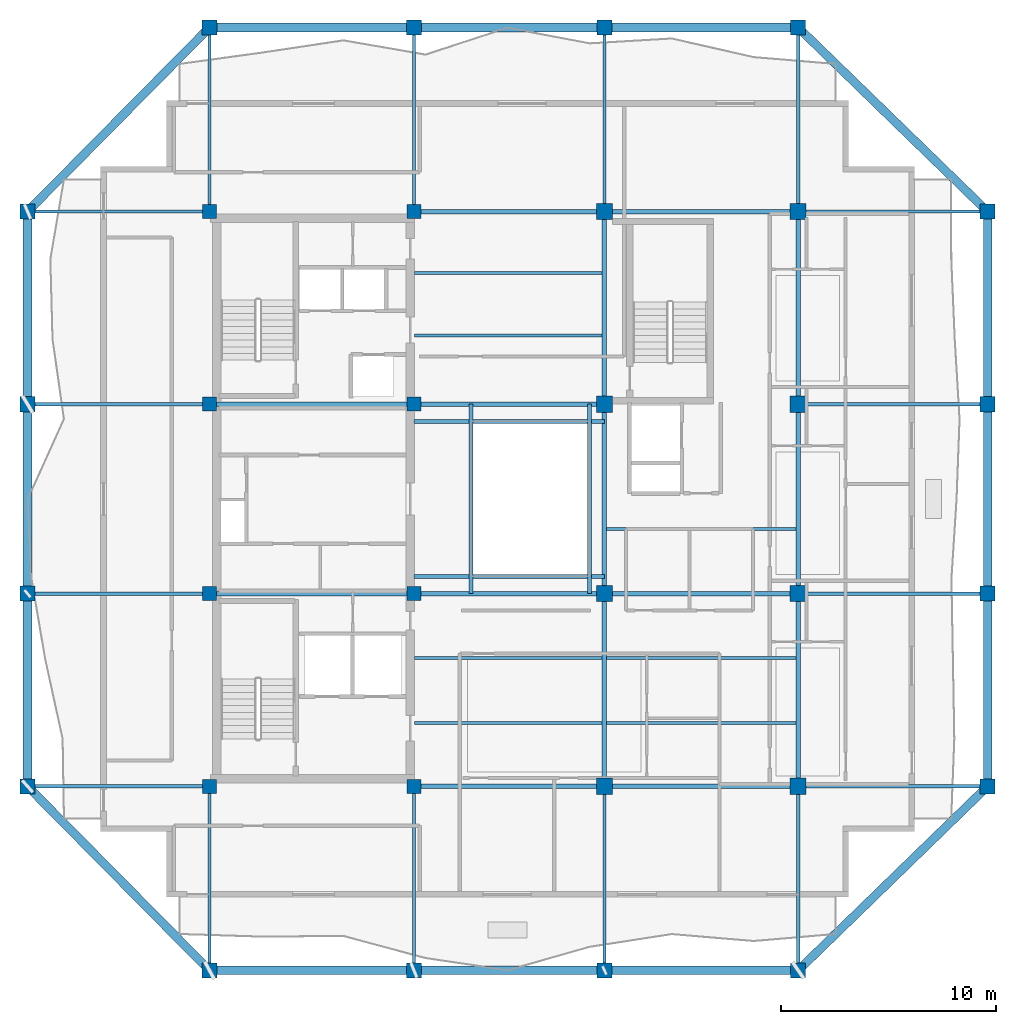
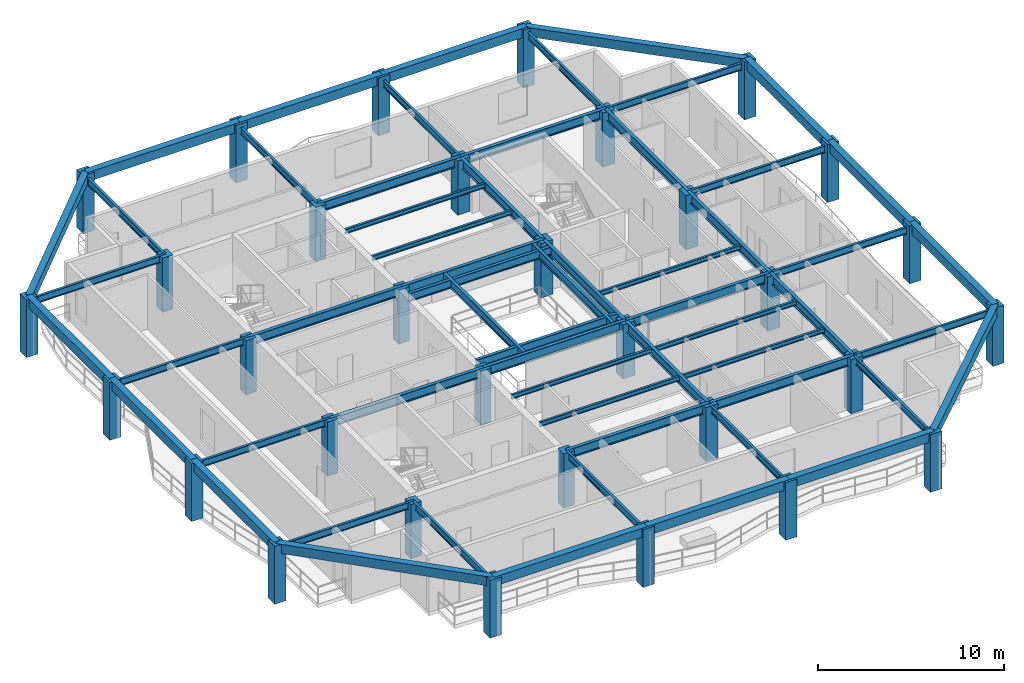
# One storey, part 1 of 10: 58 beams, 32 columns.
"""IFC4 building model written with IfcOpenShell, lengths in metres."""

from ifc_helpers import new_model, si_unit, direction, frame, origin, origin_2d, place, context, subcontext, project, spatial, rectangle, i_section, extrude, material, material_profile, profile_set, type_object, element, save


model = new_model("IFC4")

# Units and contexts
model_context = context("Model", 3, precision=1e-05, world=origin(), true_north=direction((0.0, 1.0)))
body_context = subcontext(model_context, "Body", "Model", "MODEL_VIEW")
ifc_project = project(units=[si_unit("LENGTHUNIT", "METRE"), si_unit("AREAUNIT", "SQUARE_METRE"), si_unit("VOLUMEUNIT", "CUBIC_METRE"), si_unit("PLANEANGLEUNIT", "RADIAN"), si_unit("MASSUNIT", "GRAM", prefix="KILO")], contexts=[model_context])

# Site, building, storey
site_placement = place(None, origin())
site = spatial("IfcSite", under=ifc_project, at=site_placement, CompositionType="ELEMENT")
building_placement = place(site_placement, origin())
building = spatial("IfcBuilding", under=site, at=building_placement, Name="Kundavana Baori Tower", CompositionType="ELEMENT")
storey_placement = place(building_placement, frame((0.0, 0.0, 320.10009765625)))
storey = spatial("IfcBuildingStorey", under=building, at=storey_placement, Name="L79", CompositionType="ELEMENT", Elevation=320.10009765625)

# Columns
ifc_material_1 = material(Name="Concrete C50/60", Category="concrete")
ifc_material_profile_1 = material_profile(ifc_material_1, rectangle(XDim=0.699951171875, YDim=0.699951171875, at=origin_2d()), Name="RC PF 700x700")
ifc_profile_set_1 = profile_set([ifc_material_profile_1], Name="Concrete C50/60")
column_type_1 = type_object("IfcColumnType", Name="COL-PF-700", PredefinedType="COLUMN", material=ifc_profile_set_1)
for number, where, z_axis, x_axis, name in (
    (1, (15.449951171875, 6.699951171875, 0.0), (0.0, 0.0, 1.0), (1.0, 0.0, 0.0), "L79 Stone-Clad Perimeter Frame Column PF-S1"),
    (2, (15.449951171875, 50.5, 0.0), (0.0, 0.0, 1.0), (1.0, 0.0, 0.0), "L79 Stone-Clad Perimeter Frame Column PF-N1"),
    (3, (24.949951171875, 6.699951171875, 0.0), (0.0, 0.0, 1.0), (1.0, 0.0, 0.0), "L79 Stone-Clad Perimeter Frame Column PF-S2"),
    (4, (24.949951171875, 50.5, 0.0), (0.0, 0.0, 1.0), (1.0, 0.0, 0.0), "L79 Stone-Clad Perimeter Frame Column PF-N2"),
    (5, (33.800048828125, 6.699951171875, 0.0), (0.0, 0.0, 1.0), (1.0, 0.0, 0.0), "L79 Stone-Clad Perimeter Frame Column PF-S3"),
    (6, (33.800048828125, 50.5, 0.0), (0.0, 0.0, 1.0), (1.0, 0.0, 0.0), "L79 Stone-Clad Perimeter Frame Column PF-N3"),
    (7, (42.800048828125, 6.699951171875, 0.0), (0.0, 0.0, 1.0), (1.0, 0.0, 0.0), "L79 Stone-Clad Perimeter Frame Column PF-S4"),
    (8, (42.800048828125, 50.5, 0.0), (0.0, 0.0, 1.0), (1.0, 0.0, 0.0), "L79 Stone-Clad Perimeter Frame Column PF-N4"),
    (9, (7.0, 15.25, 0.0), (0.0, 0.0, 1.0), (1.0, 0.0, 0.0), "L79 Stone-Clad Perimeter Frame Column PF-W1"),
    (10, (51.60009765625, 15.25, 0.0), (0.0, 0.0, 1.0), (1.0, 0.0, 0.0), "L79 Stone-Clad Perimeter Frame Column PF-E1"),
    (11, (7.0, 24.199951171875, 0.0), (0.0, 0.0, 1.0), (1.0, 0.0, 0.0), "L79 Stone-Clad Perimeter Frame Column PF-W2"),
    (12, (51.60009765625, 24.199951171875, 0.0), (0.0, 0.0, 1.0), (1.0, 0.0, 0.0), "L79 Stone-Clad Perimeter Frame Column PF-E2"),
    (13, (7.0, 33.0, 0.0), (0.0, 0.0, 1.0), (1.0, 0.0, 0.0), "L79 Stone-Clad Perimeter Frame Column PF-W3"),
    (14, (51.60009765625, 33.0, 0.0), (0.0, 0.0, 1.0), (1.0, 0.0, 0.0), "L79 Stone-Clad Perimeter Frame Column PF-E3"),
    (15, (7.0, 41.949951171875, 0.0), (0.0, 0.0, 1.0), (1.0, 0.0, 0.0), "L79 Stone-Clad Perimeter Frame Column PF-W4"),
    (16, (51.60009765625, 41.949951171875, 0.0), (0.0, 0.0, 1.0), (1.0, 0.0, 0.0), "L79 Stone-Clad Perimeter Frame Column PF-E4"),
):
    element("IfcColumn", number, at=place(storey_placement, frame(where, z_axis=z_axis, x_axis=x_axis)), inside=storey, type_object=column_type_1, Name=name, PredefinedType="COLUMN", context=body_context, shape_type="SweptSolid", body=[
        extrude(rectangle(XDim=0.699951171875, YDim=0.699951171875, at=origin_2d()), origin(), (0.0, 0.0, 1.0), 3.7998046875),
    ])
ifc_material_2 = material(Name="Concrete C50/60", Category="concrete")
ifc_material_profile_2 = material_profile(ifc_material_2, rectangle(XDim=0.64990234375, YDim=0.64990234375, at=origin_2d()), Name="RC 650x650")
ifc_profile_set_2 = profile_set([ifc_material_profile_2], Name="Concrete C50/60")
column_type_2 = type_object("IfcColumnType", Name="COL-RC-650", PredefinedType="COLUMN", material=ifc_profile_set_2)
for number, where, z_axis, x_axis, name in (
    (17, (15.449951171875, 15.25, 0.0), (0.0, 0.0, 1.0), (1.0, 0.0, 0.0), "L79 Interior Column IC-3C"),
    (18, (15.449951171875, 24.199951171875, 0.0), (0.0, 0.0, 1.0), (1.0, 0.0, 0.0), "L79 Interior Column IC-3D"),
    (19, (15.449951171875, 33.0, 0.0), (0.0, 0.0, 1.0), (1.0, 0.0, 0.0), "L79 Interior Column IC-3E"),
    (20, (15.449951171875, 41.949951171875, 0.0), (0.0, 0.0, 1.0), (1.0, 0.0, 0.0), "L79 Interior Column IC-3F"),
    (21, (24.949951171875, 15.25, 0.0), (0.0, 0.0, 1.0), (1.0, 0.0, 0.0), "L79 Interior Column IC-4C"),
    (22, (24.949951171875, 24.199951171875, 0.0), (0.0, 0.0, 1.0), (1.0, 0.0, 0.0), "L79 Interior Column IC-4D"),
    (23, (24.949951171875, 33.0, 0.0), (0.0, 0.0, 1.0), (1.0, 0.0, 0.0), "L79 Interior Column IC-4E"),
    (24, (24.949951171875, 41.949951171875, 0.0), (0.0, 0.0, 1.0), (1.0, 0.0, 0.0), "L79 Interior Column IC-4F"),
):
    element("IfcColumn", number, at=place(storey_placement, frame(where, z_axis=z_axis, x_axis=x_axis)), inside=storey, type_object=column_type_2, Name=name, PredefinedType="COLUMN", context=body_context, shape_type="SweptSolid", body=[
        extrude(rectangle(XDim=0.64990234375, YDim=0.64990234375, at=origin_2d()), origin(), (0.0, 0.0, 1.0), 3.559814453125),
    ])
ifc_material_3 = material(Name="Concrete C50/60", Category="concrete")
ifc_material_profile_3 = material_profile(ifc_material_3, rectangle(XDim=0.75, YDim=0.75, at=origin_2d()), Name="RC 750x750")
ifc_profile_set_3 = profile_set([ifc_material_profile_3], Name="Concrete C50/60")
column_type_3 = type_object("IfcColumnType", Name="COL-RC-750", PredefinedType="COLUMN", material=ifc_profile_set_3)
for number, where, z_axis, x_axis, name in (
    (25, (33.800048828125, 15.25, 0.0), (0.0, 0.0, 1.0), (1.0, 0.0, 0.0), "L79 Interior Column IC-5C"),
    (26, (33.800048828125, 24.199951171875, 0.0), (0.0, 0.0, 1.0), (1.0, 0.0, 0.0), "L79 Interior Column IC-5D"),
    (27, (33.800048828125, 33.0, 0.0), (0.0, 0.0, 1.0), (1.0, 0.0, 0.0), "L79 Interior Column IC-5E"),
    (28, (33.800048828125, 41.949951171875, 0.0), (0.0, 0.0, 1.0), (1.0, 0.0, 0.0), "L79 Interior Column IC-5F"),
    (29, (42.800048828125, 15.25, 0.0), (0.0, 0.0, 1.0), (1.0, 0.0, 0.0), "L79 Interior Column IC-6C"),
    (30, (42.800048828125, 24.199951171875, 0.0), (0.0, 0.0, 1.0), (1.0, 0.0, 0.0), "L79 Interior Column IC-6D"),
    (31, (42.800048828125, 33.0, 0.0), (0.0, 0.0, 1.0), (1.0, 0.0, 0.0), "L79 Interior Column IC-6E"),
    (32, (42.800048828125, 41.949951171875, 0.0), (0.0, 0.0, 1.0), (1.0, 0.0, 0.0), "L79 Interior Column IC-6F"),
):
    element("IfcColumn", number, at=place(storey_placement, frame(where, z_axis=z_axis, x_axis=x_axis)), inside=storey, type_object=column_type_3, Name=name, PredefinedType="COLUMN", context=body_context, shape_type="SweptSolid", body=[
        extrude(rectangle(XDim=0.75, YDim=0.75, at=origin_2d()), origin(), (0.0, 0.0, 1.0), 3.559814453125),
    ])

# Beams
ifc_material_4 = material(Name="Concrete C50/60", Category="concrete")
ifc_material_profile_4 = material_profile(ifc_material_4, rectangle(XDim=0.39990234375, YDim=0.60009765625, at=origin_2d()), Name="RC BM 400x600")
ifc_profile_set_4 = profile_set([ifc_material_profile_4], Name="Concrete C50/60")
beam_type_1 = type_object("IfcBeamType", Name="BM-PF-600", PredefinedType="SPANDREL", material=ifc_profile_set_4)
beam_1_placement = place(storey_placement, frame((15.449951171875, 6.699951171875, 3.5), z_axis=(1.0, 0.0, 0.0), x_axis=(0.0, 1.0, 0.0)))
element("IfcBeam", 33, at=beam_1_placement, inside=storey, type_object=beam_type_1, Name="L79 Perimeter Frame Ring Beam S1", PredefinedType="SPANDREL", context=body_context, shape_type="SweptSolid", body=[
    extrude(rectangle(XDim=0.39990234375, YDim=0.60009765625, at=origin_2d()), origin(), (0.0, 0.0, 1.0), 9.5),
])
beam_2_placement = place(storey_placement, frame((24.949951171875, 6.699951171875, 3.5), z_axis=(1.0, 0.0, 0.0), x_axis=(0.0, 1.0, 0.0)))
element("IfcBeam", 34, at=beam_2_placement, inside=storey, type_object=beam_type_1, Name="L79 Perimeter Frame Ring Beam S2", PredefinedType="SPANDREL", context=body_context, shape_type="SweptSolid", body=[
    extrude(rectangle(XDim=0.39990234375, YDim=0.60009765625, at=origin_2d()), origin(), (0.0, 0.0, 1.0), 8.85009765625),
])
beam_3_placement = place(storey_placement, frame((33.800048828125, 6.699951171875, 3.5), z_axis=(1.0, 0.0, 0.0), x_axis=(0.0, 1.0, 0.0)))
element("IfcBeam", 35, at=beam_3_placement, inside=storey, type_object=beam_type_1, Name="L79 Perimeter Frame Ring Beam S3", PredefinedType="SPANDREL", context=body_context, shape_type="SweptSolid", body=[
    extrude(rectangle(XDim=0.39990234375, YDim=0.60009765625, at=origin_2d()), origin(), (0.0, 0.0, 1.0), 9.0),
])
beam_4_placement = place(storey_placement, frame((15.449951171875, 50.5, 3.5), z_axis=(1.0, 0.0, 0.0), x_axis=(0.0, 1.0, 0.0)))
element("IfcBeam", 36, at=beam_4_placement, inside=storey, type_object=beam_type_1, Name="L79 Perimeter Frame Ring Beam N1", PredefinedType="SPANDREL", context=body_context, shape_type="SweptSolid", body=[
    extrude(rectangle(XDim=0.39990234375, YDim=0.60009765625, at=origin_2d()), origin(), (0.0, 0.0, 1.0), 9.5),
])
beam_5_placement = place(storey_placement, frame((24.949951171875, 50.5, 3.5), z_axis=(1.0, 0.0, 0.0), x_axis=(0.0, 1.0, 0.0)))
element("IfcBeam", 37, at=beam_5_placement, inside=storey, type_object=beam_type_1, Name="L79 Perimeter Frame Ring Beam N2", PredefinedType="SPANDREL", context=body_context, shape_type="SweptSolid", body=[
    extrude(rectangle(XDim=0.39990234375, YDim=0.60009765625, at=origin_2d()), origin(), (0.0, 0.0, 1.0), 8.85009765625),
])
beam_6_placement = place(storey_placement, frame((33.800048828125, 50.5, 3.5), z_axis=(1.0, 0.0, 0.0), x_axis=(0.0, 1.0, 0.0)))
element("IfcBeam", 38, at=beam_6_placement, inside=storey, type_object=beam_type_1, Name="L79 Perimeter Frame Ring Beam N3", PredefinedType="SPANDREL", context=body_context, shape_type="SweptSolid", body=[
    extrude(rectangle(XDim=0.39990234375, YDim=0.60009765625, at=origin_2d()), origin(), (0.0, 0.0, 1.0), 9.0),
])
beam_7_placement = place(storey_placement, frame((7.0, 15.25, 3.5), z_axis=(0.0, 1.0, 0.0), x_axis=(-1.0, 0.0, 0.0)))
element("IfcBeam", 39, at=beam_7_placement, inside=storey, type_object=beam_type_1, Name="L79 Perimeter Frame Ring Beam W1", PredefinedType="SPANDREL", context=body_context, shape_type="SweptSolid", body=[
    extrude(rectangle(XDim=0.39990234375, YDim=0.60009765625, at=origin_2d()), origin(), (0.0, 0.0, 1.0), 8.949951171875),
])
beam_8_placement = place(storey_placement, frame((7.0, 24.199951171875, 3.5), z_axis=(0.0, 1.0, 0.0), x_axis=(-1.0, 0.0, 0.0)))
element("IfcBeam", 40, at=beam_8_placement, inside=storey, type_object=beam_type_1, Name="L79 Perimeter Frame Ring Beam W2", PredefinedType="SPANDREL", context=body_context, shape_type="SweptSolid", body=[
    extrude(rectangle(XDim=0.39990234375, YDim=0.60009765625, at=origin_2d()), origin(), (0.0, 0.0, 1.0), 8.800048828125),
])
for number, where, z_axis, x_axis, name in (
    (41, (7.0, 33.0, 3.5), (0.0, 1.0, 0.0), (-1.0, 0.0, 0.0), "L79 Perimeter Frame Ring Beam W3"),
    (42, (51.60009765625, 15.25, 3.5), (0.0, 1.0, 0.0), (-1.0, 0.0, 0.0), "L79 Perimeter Frame Ring Beam E1"),
):
    element("IfcBeam", number, at=place(storey_placement, frame(where, z_axis=z_axis, x_axis=x_axis)), inside=storey, type_object=beam_type_1, Name=name, PredefinedType="SPANDREL", context=body_context, shape_type="SweptSolid", body=[
        extrude(rectangle(XDim=0.39990234375, YDim=0.60009765625, at=origin_2d()), origin(), (0.0, 0.0, 1.0), 8.949951171875),
    ])
beam_9_placement = place(storey_placement, frame((51.60009765625, 24.199951171875, 3.5), z_axis=(0.0, 1.0, 0.0), x_axis=(-1.0, 0.0, 0.0)))
element("IfcBeam", 43, at=beam_9_placement, inside=storey, type_object=beam_type_1, Name="L79 Perimeter Frame Ring Beam E2", PredefinedType="SPANDREL", context=body_context, shape_type="SweptSolid", body=[
    extrude(rectangle(XDim=0.39990234375, YDim=0.60009765625, at=origin_2d()), origin(), (0.0, 0.0, 1.0), 8.800048828125),
])
beam_10_placement = place(storey_placement, frame((51.60009765625, 33.0, 3.5), z_axis=(0.0, 1.0, 0.0), x_axis=(-1.0, 0.0, 0.0)))
element("IfcBeam", 44, at=beam_10_placement, inside=storey, type_object=beam_type_1, Name="L79 Perimeter Frame Ring Beam E3", PredefinedType="SPANDREL", context=body_context, shape_type="SweptSolid", body=[
    extrude(rectangle(XDim=0.39990234375, YDim=0.60009765625, at=origin_2d()), origin(), (0.0, 0.0, 1.0), 8.949951171875),
])
beam_11_placement = place(storey_placement, frame((15.449951171875, 6.699951171875, 3.5), z_axis=(-0.702931082472, 0.711257965365, 0.0), x_axis=(-0.711257965365, -0.702931082472, 0.0)))
element("IfcBeam", 45, at=beam_11_placement, inside=storey, type_object=beam_type_1, Name="L79 Notched Corner Perimeter Beam SW", PredefinedType="SPANDREL", context=body_context, shape_type="SweptSolid", body=[
    extrude(rectangle(XDim=0.39990234375, YDim=0.60009765625, at=origin_2d()), origin(), (0.0, 0.0, 1.0), 12.02099609375),
])
beam_12_placement = place(storey_placement, frame((42.800048828125, 6.699951171875, 3.5), z_axis=(0.717221130298, 0.696845643062, 0.0), x_axis=(-0.696845643062, 0.717221130298, 0.0)))
element("IfcBeam", 46, at=beam_12_placement, inside=storey, type_object=beam_type_1, Name="L79 Notched Corner Perimeter Beam SE", PredefinedType="SPANDREL", context=body_context, shape_type="SweptSolid", body=[
    extrude(rectangle(XDim=0.39990234375, YDim=0.60009765625, at=origin_2d()), origin(), (0.0, 0.0, 1.0), 12.26953125),
])
beam_13_placement = place(storey_placement, frame((15.449951171875, 50.5, 3.5), z_axis=(-0.702931082472, -0.711257965365, 0.0), x_axis=(0.711257965365, -0.702931082472, 0.0)))
element("IfcBeam", 47, at=beam_13_placement, inside=storey, type_object=beam_type_1, Name="L79 Notched Corner Perimeter Beam NW", PredefinedType="SPANDREL", context=body_context, shape_type="SweptSolid", body=[
    extrude(rectangle(XDim=0.39990234375, YDim=0.60009765625, at=origin_2d()), origin(), (0.0, 0.0, 1.0), 12.02099609375),
])
beam_14_placement = place(storey_placement, frame((42.800048828125, 50.5, 3.5), z_axis=(0.717221130298, -0.696845643062, 0.0), x_axis=(0.696845643062, 0.717221130298, 0.0)))
element("IfcBeam", 48, at=beam_14_placement, inside=storey, type_object=beam_type_1, Name="L79 Notched Corner Perimeter Beam NE", PredefinedType="SPANDREL", context=body_context, shape_type="SweptSolid", body=[
    extrude(rectangle(XDim=0.39990234375, YDim=0.60009765625, at=origin_2d()), origin(), (0.0, 0.0, 1.0), 12.26953125),
])
ifc_material_5 = material(Name="Structural Steel S355JR", Category="steel")
ifc_material_profile_5 = material_profile(ifc_material_5, i_section(OverallWidth=0.139892578125, OverallDepth=0.300048828125, WebThickness=0.0078125, FlangeThickness=0.01318359375, FilletRadius=0.013916015625, at=origin_2d()), Name="ISMB 300")
ifc_profile_set_5 = profile_set([ifc_material_profile_5], Name="Structural Steel S355JR")
beam_type_2 = type_object("IfcBeamType", Name="BM-RF-300", PredefinedType="BEAM", material=ifc_profile_set_5)
for number, where, z_axis, x_axis, name in (
    (49, (24.97998046875, 18.199951171875, 3.409912109375), (1.0, 0.0, 0.0), (0.0, 1.0, 0.0), "L79 Central Bay Composite Floor Joist C1"),
    (50, (24.97998046875, 21.199951171875, 3.409912109375), (1.0, 0.0, 0.0), (0.0, 1.0, 0.0), "L79 Central Bay Composite Floor Joist C2"),
    (51, (24.97998046875, 36.199951171875, 3.409912109375), (1.0, 0.0, 0.0), (0.0, 1.0, 0.0), "L79 Central Bay Composite Floor Joist C3"),
    (52, (24.97998046875, 39.10009765625, 3.409912109375), (1.0, 0.0, 0.0), (0.0, 1.0, 0.0), "L79 Central Bay Composite Floor Joist C4"),
):
    element("IfcBeam", number, at=place(storey_placement, frame(where, z_axis=z_axis, x_axis=x_axis)), inside=storey, type_object=beam_type_2, Name=name, PredefinedType="BEAM", context=body_context, shape_type="SweptSolid", body=[
        extrude(i_section(OverallWidth=0.139892578125, OverallDepth=0.300048828125, WebThickness=0.0078125, FlangeThickness=0.01318359375, FilletRadius=0.013916015625, at=origin_2d()), origin(), (0.0, 0.0, 1.0), 8.715087890625),
    ])
for number, where, z_axis, x_axis, name in (
    (53, (33.905029296875, 18.199951171875, 3.409912109375), (1.0, 0.0, 0.0), (0.0, 1.0, 0.0), "L79 East Bay Composite Floor Joist E1"),
    (54, (33.905029296875, 21.199951171875, 3.409912109375), (1.0, 0.0, 0.0), (0.0, 1.0, 0.0), "L79 East Bay Composite Floor Joist E2"),
    (55, (33.905029296875, 27.199951171875, 3.409912109375), (1.0, 0.0, 0.0), (0.0, 1.0, 0.0), "L79 East Bay Composite Floor Joist E3"),
):
    element("IfcBeam", number, at=place(storey_placement, frame(where, z_axis=z_axis, x_axis=x_axis)), inside=storey, type_object=beam_type_2, Name=name, PredefinedType="BEAM", context=body_context, shape_type="SweptSolid", body=[
        extrude(i_section(OverallWidth=0.139892578125, OverallDepth=0.300048828125, WebThickness=0.0078125, FlangeThickness=0.01318359375, FilletRadius=0.013916015625, at=origin_2d()), origin(), (0.0, 0.0, 1.0), 8.7900390625),
    ])
ifc_material_6 = material(Name="Structural Steel S355JR", Category="steel")
ifc_material_profile_6 = material_profile(ifc_material_6, i_section(OverallWidth=0.18994140625, OverallDepth=0.550048828125, WebThickness=0.01123046875, FlangeThickness=0.019287109375, FilletRadius=0.01806640625, at=origin_2d()), Name="ISMB 550")
ifc_profile_set_6 = profile_set([ifc_material_profile_6], Name="Structural Steel S355JR")
beam_type_3 = type_object("IfcBeamType", Name="BM-ST-550", PredefinedType="BEAM", material=ifc_profile_set_6)
for number, where, z_axis, x_axis, name in (
    (56, (27.60009765625, 24.199951171875, 3.284912109375), (0.0, 1.0, 0.0), (-1.0, 0.0, 0.0), "L79 Atrium West Edge Beam"),
    (57, (33.10009765625, 24.199951171875, 3.284912109375), (0.0, 1.0, 0.0), (-1.0, 0.0, 0.0), "L79 Atrium East Edge Beam"),
):
    element("IfcBeam", number, at=place(storey_placement, frame(where, z_axis=z_axis, x_axis=x_axis)), inside=storey, type_object=beam_type_3, Name=name, PredefinedType="BEAM", context=body_context, shape_type="SweptSolid", body=[
        extrude(i_section(OverallWidth=0.18994140625, OverallDepth=0.550048828125, WebThickness=0.01123046875, FlangeThickness=0.019287109375, FilletRadius=0.01806640625, at=origin_2d()), origin(), (0.0, 0.0, 1.0), 8.800048828125),
    ])
for number, where, z_axis, x_axis, name in (
    (58, (24.949951171875, 25.0, 3.284912109375), (1.0, 0.0, 0.0), (0.0, 1.0, 0.0), "L79 Atrium South Edge Beam"),
    (59, (24.949951171875, 32.199951171875, 3.284912109375), (1.0, 0.0, 0.0), (0.0, 1.0, 0.0), "L79 Atrium North Edge Beam"),
):
    element("IfcBeam", number, at=place(storey_placement, frame(where, z_axis=z_axis, x_axis=x_axis)), inside=storey, type_object=beam_type_3, Name=name, PredefinedType="BEAM", context=body_context, shape_type="SweptSolid", body=[
        extrude(i_section(OverallWidth=0.18994140625, OverallDepth=0.550048828125, WebThickness=0.01123046875, FlangeThickness=0.019287109375, FilletRadius=0.01806640625, at=origin_2d()), origin(), (0.0, 0.0, 1.0), 8.85009765625),
    ])
ifc_material_7 = material(Name="Structural Steel S355JR", Category="steel")
ifc_material_profile_7 = material_profile(ifc_material_7, i_section(OverallWidth=0.2099609375, OverallDepth=0.60009765625, WebThickness=0.011962890625, FlangeThickness=0.020751953125, FilletRadius=0.02001953125, at=origin_2d()), Name="ISMB 600")
ifc_profile_set_7 = profile_set([ifc_material_profile_7], Name="Structural Steel S355JR")
beam_type_4 = type_object("IfcBeamType", Name="BM-ST-600", PredefinedType="BEAM", material=ifc_profile_set_7)
beam_15_placement = place(storey_placement, frame((24.949951171875, 15.25, 3.260009765625), z_axis=(1.0, 0.0, 0.0), x_axis=(0.0, 1.0, 0.0)))
element("IfcBeam", 60, at=beam_15_placement, inside=storey, type_object=beam_type_4, Name="L79 Primary Grid Girder GX-1-2", PredefinedType="BEAM", context=body_context, shape_type="SweptSolid", body=[
    extrude(i_section(OverallWidth=0.2099609375, OverallDepth=0.60009765625, WebThickness=0.011962890625, FlangeThickness=0.020751953125, FilletRadius=0.02001953125, at=origin_2d()), origin(), (0.0, 0.0, 1.0), 8.85009765625),
])
beam_16_placement = place(storey_placement, frame((33.800048828125, 15.25, 3.260009765625), z_axis=(1.0, 0.0, 0.0), x_axis=(0.0, 1.0, 0.0)))
element("IfcBeam", 61, at=beam_16_placement, inside=storey, type_object=beam_type_4, Name="L79 Primary Grid Girder GX-1-3", PredefinedType="BEAM", context=body_context, shape_type="SweptSolid", body=[
    extrude(i_section(OverallWidth=0.2099609375, OverallDepth=0.60009765625, WebThickness=0.011962890625, FlangeThickness=0.020751953125, FilletRadius=0.02001953125, at=origin_2d()), origin(), (0.0, 0.0, 1.0), 9.0),
])
beam_17_placement = place(storey_placement, frame((15.449951171875, 24.199951171875, 3.260009765625), z_axis=(1.0, 0.0, 0.0), x_axis=(0.0, 1.0, 0.0)))
element("IfcBeam", 62, at=beam_17_placement, inside=storey, type_object=beam_type_4, Name="L79 Primary Grid Girder GX-2-1", PredefinedType="BEAM", context=body_context, shape_type="SweptSolid", body=[
    extrude(i_section(OverallWidth=0.2099609375, OverallDepth=0.60009765625, WebThickness=0.011962890625, FlangeThickness=0.020751953125, FilletRadius=0.02001953125, at=origin_2d()), origin(), (0.0, 0.0, 1.0), 9.5),
])
beam_18_placement = place(storey_placement, frame((24.949951171875, 24.199951171875, 3.260009765625), z_axis=(1.0, 0.0, 0.0), x_axis=(0.0, 1.0, 0.0)))
element("IfcBeam", 63, at=beam_18_placement, inside=storey, type_object=beam_type_4, Name="L79 Primary Grid Girder GX-2-2", PredefinedType="BEAM", context=body_context, shape_type="SweptSolid", body=[
    extrude(i_section(OverallWidth=0.2099609375, OverallDepth=0.60009765625, WebThickness=0.011962890625, FlangeThickness=0.020751953125, FilletRadius=0.02001953125, at=origin_2d()), origin(), (0.0, 0.0, 1.0), 8.85009765625),
])
beam_19_placement = place(storey_placement, frame((33.800048828125, 24.199951171875, 3.260009765625), z_axis=(1.0, 0.0, 0.0), x_axis=(0.0, 1.0, 0.0)))
element("IfcBeam", 64, at=beam_19_placement, inside=storey, type_object=beam_type_4, Name="L79 Primary Grid Girder GX-2-3", PredefinedType="BEAM", context=body_context, shape_type="SweptSolid", body=[
    extrude(i_section(OverallWidth=0.2099609375, OverallDepth=0.60009765625, WebThickness=0.011962890625, FlangeThickness=0.020751953125, FilletRadius=0.02001953125, at=origin_2d()), origin(), (0.0, 0.0, 1.0), 9.0),
])
beam_20_placement = place(storey_placement, frame((15.449951171875, 33.0, 3.260009765625), z_axis=(1.0, 0.0, 0.0), x_axis=(0.0, 1.0, 0.0)))
element("IfcBeam", 65, at=beam_20_placement, inside=storey, type_object=beam_type_4, Name="L79 Primary Grid Girder GX-3-1", PredefinedType="BEAM", context=body_context, shape_type="SweptSolid", body=[
    extrude(i_section(OverallWidth=0.2099609375, OverallDepth=0.60009765625, WebThickness=0.011962890625, FlangeThickness=0.020751953125, FilletRadius=0.02001953125, at=origin_2d()), origin(), (0.0, 0.0, 1.0), 9.5),
])
for number, where, z_axis, x_axis, name in (
    (66, (24.949951171875, 33.0, 3.260009765625), (1.0, 0.0, 0.0), (0.0, 1.0, 0.0), "L79 Primary Grid Girder GX-3-2"),
    (67, (24.949951171875, 41.949951171875, 3.260009765625), (1.0, 0.0, 0.0), (0.0, 1.0, 0.0), "L79 Primary Grid Girder GX-4-2"),
):
    element("IfcBeam", number, at=place(storey_placement, frame(where, z_axis=z_axis, x_axis=x_axis)), inside=storey, type_object=beam_type_4, Name=name, PredefinedType="BEAM", context=body_context, shape_type="SweptSolid", body=[
        extrude(i_section(OverallWidth=0.2099609375, OverallDepth=0.60009765625, WebThickness=0.011962890625, FlangeThickness=0.020751953125, FilletRadius=0.02001953125, at=origin_2d()), origin(), (0.0, 0.0, 1.0), 8.85009765625),
    ])
beam_21_placement = place(storey_placement, frame((33.800048828125, 41.949951171875, 3.260009765625), z_axis=(1.0, 0.0, 0.0), x_axis=(0.0, 1.0, 0.0)))
element("IfcBeam", 68, at=beam_21_placement, inside=storey, type_object=beam_type_4, Name="L79 Primary Grid Girder GX-4-3", PredefinedType="BEAM", context=body_context, shape_type="SweptSolid", body=[
    extrude(i_section(OverallWidth=0.2099609375, OverallDepth=0.60009765625, WebThickness=0.011962890625, FlangeThickness=0.020751953125, FilletRadius=0.02001953125, at=origin_2d()), origin(), (0.0, 0.0, 1.0), 9.0),
])
beam_22_placement = place(storey_placement, frame((33.800048828125, 15.25, 3.260009765625), z_axis=(0.0, 1.0, 0.0), x_axis=(-1.0, 0.0, 0.0)))
element("IfcBeam", 69, at=beam_22_placement, inside=storey, type_object=beam_type_4, Name="L79 Primary Grid Girder GY-3-1", PredefinedType="BEAM", context=body_context, shape_type="SweptSolid", body=[
    extrude(i_section(OverallWidth=0.2099609375, OverallDepth=0.60009765625, WebThickness=0.011962890625, FlangeThickness=0.020751953125, FilletRadius=0.02001953125, at=origin_2d()), origin(), (0.0, 0.0, 1.0), 8.949951171875),
])
beam_23_placement = place(storey_placement, frame((33.800048828125, 24.199951171875, 3.260009765625), z_axis=(0.0, 1.0, 0.0), x_axis=(-1.0, 0.0, 0.0)))
element("IfcBeam", 70, at=beam_23_placement, inside=storey, type_object=beam_type_4, Name="L79 Primary Grid Girder GY-3-2", PredefinedType="BEAM", context=body_context, shape_type="SweptSolid", body=[
    extrude(i_section(OverallWidth=0.2099609375, OverallDepth=0.60009765625, WebThickness=0.011962890625, FlangeThickness=0.020751953125, FilletRadius=0.02001953125, at=origin_2d()), origin(), (0.0, 0.0, 1.0), 8.800048828125),
])
for number, where, z_axis, x_axis, name in (
    (71, (33.800048828125, 33.0, 3.260009765625), (0.0, 1.0, 0.0), (-1.0, 0.0, 0.0), "L79 Primary Grid Girder GY-3-3"),
    (72, (42.800048828125, 15.25, 3.260009765625), (0.0, 1.0, 0.0), (-1.0, 0.0, 0.0), "L79 Primary Grid Girder GY-4-1"),
):
    element("IfcBeam", number, at=place(storey_placement, frame(where, z_axis=z_axis, x_axis=x_axis)), inside=storey, type_object=beam_type_4, Name=name, PredefinedType="BEAM", context=body_context, shape_type="SweptSolid", body=[
        extrude(i_section(OverallWidth=0.2099609375, OverallDepth=0.60009765625, WebThickness=0.011962890625, FlangeThickness=0.020751953125, FilletRadius=0.02001953125, at=origin_2d()), origin(), (0.0, 0.0, 1.0), 8.949951171875),
    ])
beam_24_placement = place(storey_placement, frame((42.800048828125, 24.199951171875, 3.260009765625), z_axis=(0.0, 1.0, 0.0), x_axis=(-1.0, 0.0, 0.0)))
element("IfcBeam", 73, at=beam_24_placement, inside=storey, type_object=beam_type_4, Name="L79 Primary Grid Girder GY-4-2", PredefinedType="BEAM", context=body_context, shape_type="SweptSolid", body=[
    extrude(i_section(OverallWidth=0.2099609375, OverallDepth=0.60009765625, WebThickness=0.011962890625, FlangeThickness=0.020751953125, FilletRadius=0.02001953125, at=origin_2d()), origin(), (0.0, 0.0, 1.0), 8.800048828125),
])
beam_25_placement = place(storey_placement, frame((42.800048828125, 33.0, 3.260009765625), z_axis=(0.0, 1.0, 0.0), x_axis=(-1.0, 0.0, 0.0)))
element("IfcBeam", 74, at=beam_25_placement, inside=storey, type_object=beam_type_4, Name="L79 Primary Grid Girder GY-4-3", PredefinedType="BEAM", context=body_context, shape_type="SweptSolid", body=[
    extrude(i_section(OverallWidth=0.2099609375, OverallDepth=0.60009765625, WebThickness=0.011962890625, FlangeThickness=0.020751953125, FilletRadius=0.02001953125, at=origin_2d()), origin(), (0.0, 0.0, 1.0), 8.949951171875),
])
ifc_material_8 = material(Name="Structural Steel S355JR", Category="steel")
ifc_material_profile_8 = material_profile(ifc_material_8, i_section(OverallWidth=0.14990234375, OverallDepth=0.449951171875, WebThickness=0.009521484375, FlangeThickness=0.017333984375, FilletRadius=0.014892578125, at=origin_2d()), Name="ISMB 450")
ifc_profile_set_8 = profile_set([ifc_material_profile_8], Name="Structural Steel S355JR")
beam_type_5 = type_object("IfcBeamType", Name="BM-TIE-450", PredefinedType="BEAM", material=ifc_profile_set_8)
for number, where, z_axis, x_axis, name in (
    (75, (15.449951171875, 15.25, 3.3349609375), (0.0, -1.0, 0.0), (1.0, 0.0, 0.0), "L79 South Radial Loggia Tie Beam S1"),
    (76, (15.449951171875, 41.949951171875, 3.3349609375), (0.0, 1.0, 0.0), (-1.0, 0.0, 0.0), "L79 North Radial Loggia Tie Beam N1"),
    (77, (24.949951171875, 15.25, 3.3349609375), (0.0, -1.0, 0.0), (1.0, 0.0, 0.0), "L79 South Radial Loggia Tie Beam S2"),
    (78, (24.949951171875, 41.949951171875, 3.3349609375), (0.0, 1.0, 0.0), (-1.0, 0.0, 0.0), "L79 North Radial Loggia Tie Beam N2"),
    (79, (33.800048828125, 15.25, 3.3349609375), (0.0, -1.0, 0.0), (1.0, 0.0, 0.0), "L79 South Radial Loggia Tie Beam S3"),
    (80, (33.800048828125, 41.949951171875, 3.3349609375), (0.0, 1.0, 0.0), (-1.0, 0.0, 0.0), "L79 North Radial Loggia Tie Beam N3"),
    (81, (42.800048828125, 15.25, 3.3349609375), (0.0, -1.0, 0.0), (1.0, 0.0, 0.0), "L79 South Radial Loggia Tie Beam S4"),
    (82, (42.800048828125, 41.949951171875, 3.3349609375), (0.0, 1.0, 0.0), (-1.0, 0.0, 0.0), "L79 North Radial Loggia Tie Beam N4"),
):
    element("IfcBeam", number, at=place(storey_placement, frame(where, z_axis=z_axis, x_axis=x_axis)), inside=storey, type_object=beam_type_5, Name=name, PredefinedType="BEAM", context=body_context, shape_type="SweptSolid", body=[
        extrude(i_section(OverallWidth=0.14990234375, OverallDepth=0.449951171875, WebThickness=0.009521484375, FlangeThickness=0.017333984375, FilletRadius=0.014892578125, at=origin_2d()), origin(), (0.0, 0.0, 1.0), 8.550048828125),
    ])
beam_26_placement = place(storey_placement, frame((15.449951171875, 15.25, 3.3349609375), z_axis=(-1.0, 0.0, 0.0), x_axis=(0.0, -1.0, 0.0)))
element("IfcBeam", 83, at=beam_26_placement, inside=storey, type_object=beam_type_5, Name="L79 West Radial Loggia Tie Beam W1", PredefinedType="BEAM", context=body_context, shape_type="SweptSolid", body=[
    extrude(i_section(OverallWidth=0.14990234375, OverallDepth=0.449951171875, WebThickness=0.009521484375, FlangeThickness=0.017333984375, FilletRadius=0.014892578125, at=origin_2d()), origin(), (0.0, 0.0, 1.0), 8.449951171875),
])
beam_27_placement = place(storey_placement, frame((42.800048828125, 15.25, 3.3349609375), z_axis=(1.0, 0.0, 0.0), x_axis=(0.0, 1.0, 0.0)))
element("IfcBeam", 84, at=beam_27_placement, inside=storey, type_object=beam_type_5, Name="L79 East Radial Loggia Tie Beam E1", PredefinedType="BEAM", context=body_context, shape_type="SweptSolid", body=[
    extrude(i_section(OverallWidth=0.14990234375, OverallDepth=0.449951171875, WebThickness=0.009521484375, FlangeThickness=0.017333984375, FilletRadius=0.014892578125, at=origin_2d()), origin(), (0.0, 0.0, 1.0), 8.800048828125),
])
beam_28_placement = place(storey_placement, frame((15.449951171875, 24.199951171875, 3.3349609375), z_axis=(-1.0, 0.0, 0.0), x_axis=(0.0, -1.0, 0.0)))
element("IfcBeam", 85, at=beam_28_placement, inside=storey, type_object=beam_type_5, Name="L79 West Radial Loggia Tie Beam W2", PredefinedType="BEAM", context=body_context, shape_type="SweptSolid", body=[
    extrude(i_section(OverallWidth=0.14990234375, OverallDepth=0.449951171875, WebThickness=0.009521484375, FlangeThickness=0.017333984375, FilletRadius=0.014892578125, at=origin_2d()), origin(), (0.0, 0.0, 1.0), 8.449951171875),
])
beam_29_placement = place(storey_placement, frame((42.800048828125, 24.199951171875, 3.3349609375), z_axis=(1.0, 0.0, 0.0), x_axis=(0.0, 1.0, 0.0)))
element("IfcBeam", 86, at=beam_29_placement, inside=storey, type_object=beam_type_5, Name="L79 East Radial Loggia Tie Beam E2", PredefinedType="BEAM", context=body_context, shape_type="SweptSolid", body=[
    extrude(i_section(OverallWidth=0.14990234375, OverallDepth=0.449951171875, WebThickness=0.009521484375, FlangeThickness=0.017333984375, FilletRadius=0.014892578125, at=origin_2d()), origin(), (0.0, 0.0, 1.0), 8.800048828125),
])
beam_30_placement = place(storey_placement, frame((15.449951171875, 33.0, 3.3349609375), z_axis=(-1.0, 0.0, 0.0), x_axis=(0.0, -1.0, 0.0)))
element("IfcBeam", 87, at=beam_30_placement, inside=storey, type_object=beam_type_5, Name="L79 West Radial Loggia Tie Beam W3", PredefinedType="BEAM", context=body_context, shape_type="SweptSolid", body=[
    extrude(i_section(OverallWidth=0.14990234375, OverallDepth=0.449951171875, WebThickness=0.009521484375, FlangeThickness=0.017333984375, FilletRadius=0.014892578125, at=origin_2d()), origin(), (0.0, 0.0, 1.0), 8.449951171875),
])
beam_31_placement = place(storey_placement, frame((42.800048828125, 33.0, 3.3349609375), z_axis=(1.0, 0.0, 0.0), x_axis=(0.0, 1.0, 0.0)))
element("IfcBeam", 88, at=beam_31_placement, inside=storey, type_object=beam_type_5, Name="L79 East Radial Loggia Tie Beam E3", PredefinedType="BEAM", context=body_context, shape_type="SweptSolid", body=[
    extrude(i_section(OverallWidth=0.14990234375, OverallDepth=0.449951171875, WebThickness=0.009521484375, FlangeThickness=0.017333984375, FilletRadius=0.014892578125, at=origin_2d()), origin(), (0.0, 0.0, 1.0), 8.800048828125),
])
beam_32_placement = place(storey_placement, frame((15.449951171875, 41.949951171875, 3.3349609375), z_axis=(-1.0, 0.0, 0.0), x_axis=(0.0, -1.0, 0.0)))
element("IfcBeam", 89, at=beam_32_placement, inside=storey, type_object=beam_type_5, Name="L79 West Radial Loggia Tie Beam W4", PredefinedType="BEAM", context=body_context, shape_type="SweptSolid", body=[
    extrude(i_section(OverallWidth=0.14990234375, OverallDepth=0.449951171875, WebThickness=0.009521484375, FlangeThickness=0.017333984375, FilletRadius=0.014892578125, at=origin_2d()), origin(), (0.0, 0.0, 1.0), 8.449951171875),
])
beam_33_placement = place(storey_placement, frame((42.800048828125, 41.949951171875, 3.3349609375), z_axis=(1.0, 0.0, 0.0), x_axis=(0.0, 1.0, 0.0)))
element("IfcBeam", 90, at=beam_33_placement, inside=storey, type_object=beam_type_5, Name="L79 East Radial Loggia Tie Beam E4", PredefinedType="BEAM", context=body_context, shape_type="SweptSolid", body=[
    extrude(i_section(OverallWidth=0.14990234375, OverallDepth=0.449951171875, WebThickness=0.009521484375, FlangeThickness=0.017333984375, FilletRadius=0.014892578125, at=origin_2d()), origin(), (0.0, 0.0, 1.0), 8.800048828125),
])

save(model, "model.ifc")
